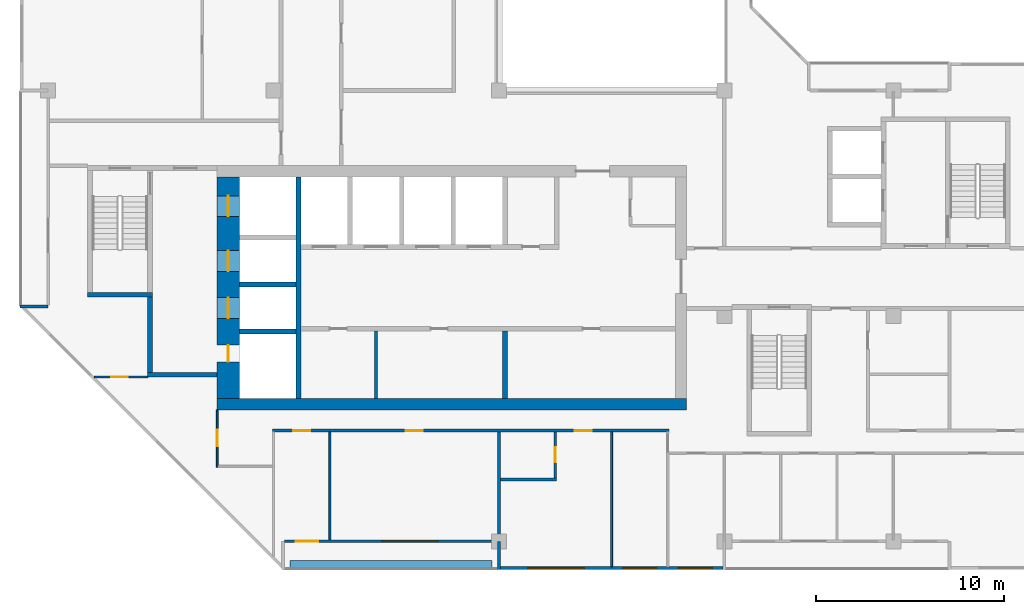
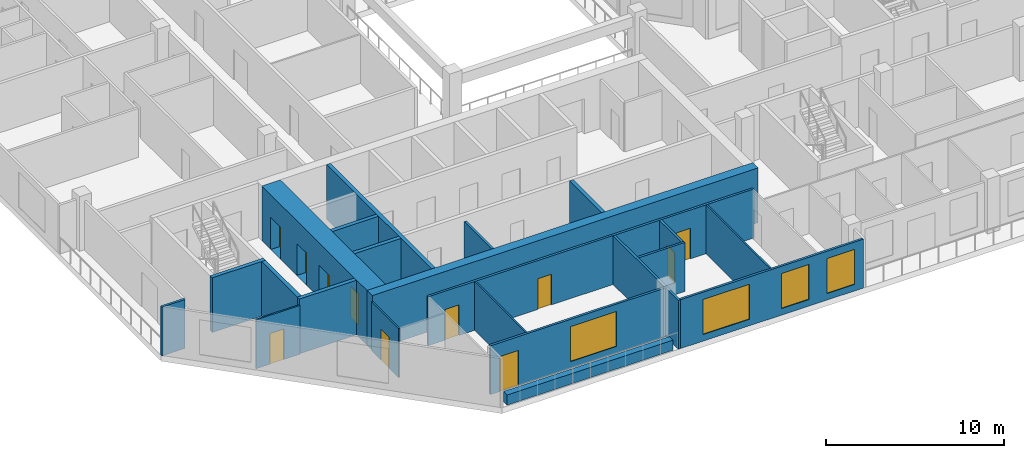
# One storey, part 4 of 13: 23 walls, 11 doors, 4 windows, 15 openings.
"""IFC4 building model written with IfcOpenShell, lengths in metres."""

import ifcopenshell
import ifcopenshell.guid

model = None  # the IFC model being written
_history = None  # IfcOwnerHistory: only IFC2X3 demands one
_inside = {}  # id of a spatial element -> (the spatial element, [elements in it])
_under = {}  # id of a project, library or spatial element -> (it, [spatial elements below it])
_declared = {}  # id of a project -> (the project, [libraries it declares])
_typed = {}  # id of a type object -> (the type object, [elements of that type])
_made_of = {}  # id of a material, layer set ... -> (it, [elements and type objects made of it])


def new_model(schema):
    """Start an empty IFC model of exactly this schema.

    Asked for "IFC4X3", IfcOpenShell would pick the latest addendum, in which some entities
    have other attributes; the version numbers below select the first issue.
    IFC2X3 requires an IfcOwnerHistory on every rooted entity: one is made here for all.
    """
    global model, _history
    if schema == "IFC4X3":
        model = ifcopenshell.file(schema_version=(4, 3, 0, 0))
    else:
        model = ifcopenshell.file(schema=schema)
    _inside.clear()
    _under.clear()
    _declared.clear()
    _typed.clear()
    _made_of.clear()
    _history = None
    if model.schema == "IFC2X3":
        org = make("IfcOrganization", Name="unknown")
        user = make(
            "IfcPersonAndOrganization",
            ThePerson=make("IfcPerson", FamilyName="unknown"),
            TheOrganization=org,
        )
        app = make(
            "IfcApplication",
            ApplicationDeveloper=org,
            Version="unknown",
            ApplicationFullName="unknown",
            ApplicationIdentifier="unknown",
        )
        _history = make(
            "IfcOwnerHistory",
            OwningUser=user,
            OwningApplication=app,
            ChangeAction="ADDED",
            CreationDate=0,
        )
    return model


def make(cls, **values):
    """One entity of the class cls with the attributes given. An attribute that is None is left unset."""
    return model.create_entity(
        cls, **{name: value for name, value in values.items() if value is not None}
    )


def rooted(cls, **values):
    """An entity with a GlobalId (a new one), such as an element, a storey or a relation."""
    return make(cls, GlobalId=ifcopenshell.guid.new(), OwnerHistory=_history, **values)


def si_unit(unit_type, name, prefix=None):
    """IfcSIUnit, for example si_unit("LENGTHUNIT", "METRE", prefix="MILLI")."""
    return make("IfcSIUnit", UnitType=unit_type, Prefix=prefix, Name=name)


def assignment(units):
    """IfcUnitAssignment: the units of a project."""
    return None if units is None else make("IfcUnitAssignment", Units=units)


def point(xyz):
    """IfcCartesianPoint."""
    return None if xyz is None else make("IfcCartesianPoint", Coordinates=xyz)


def direction(xyz):
    """IfcDirection."""
    return None if xyz is None else make("IfcDirection", DirectionRatios=xyz)


def frame(location, z_axis=None, x_axis=None):
    """IfcAxis2Placement3D, a coordinate frame: its origin and axes. An axis left out is left unset."""
    return make(
        "IfcAxis2Placement3D",
        Location=point(location),
        Axis=direction(z_axis),
        RefDirection=direction(x_axis),
    )


def frame_2d(location, x_axis=None):
    """IfcAxis2Placement2D, a coordinate frame in the plane: its origin and x axis."""
    return make(
        "IfcAxis2Placement2D", Location=point(location), RefDirection=direction(x_axis)
    )


def origin():
    """The frame at (0, 0, 0) with its axes left unset."""
    return frame((0.0, 0.0, 0.0))


def place(relative_to, where):
    """IfcLocalPlacement: puts the frame where relative to a parent placement (None: the world)."""
    return make(
        "IfcLocalPlacement", PlacementRelTo=relative_to, RelativePlacement=where
    )


def context(
    kind, dimensions, precision=None, world=None, true_north=None, identifier=None
):
    """IfcGeometricRepresentationContext, for example the 3D "Model" context."""
    return make(
        "IfcGeometricRepresentationContext",
        ContextIdentifier=identifier,
        ContextType=kind,
        CoordinateSpaceDimension=dimensions,
        Precision=precision,
        WorldCoordinateSystem=world,
        TrueNorth=true_north,
    )


def subcontext(parent, identifier, kind, view, scale=None):
    """IfcGeometricRepresentationSubContext, for example "Body" below "Model"."""
    return make(
        "IfcGeometricRepresentationSubContext",
        ContextIdentifier=identifier,
        ContextType=kind,
        ParentContext=parent,
        TargetScale=scale,
        TargetView=view,
    )


def project(units=None, contexts=None):
    """IfcProject with its units and contexts."""
    return rooted(
        "IfcProject",
        Name="project",
        RepresentationContexts=contexts,
        UnitsInContext=assignment(units),
    )


def spatial(cls, under=None, at=None, **own):
    """A site, building, storey or space (cls), placed at a placement, below another one or the project."""
    s = rooted(cls, ObjectPlacement=at, **own)
    if under is not None:
        _under.setdefault(under.id(), (under, []))[1].append(s)
    return s


def profile(cls, at=None, kind="AREA", **sizes):
    """A parametric profile (cls). Its sizes go by their IFC names, for example OverallWidth=200.0."""
    return make(cls, ProfileType=kind, Position=at, **sizes)


def rectangle(**sizes):
    """IfcRectangleProfileDef."""
    return profile("IfcRectangleProfileDef", **sizes)


def extrude(swept, where, along, depth):
    """IfcExtrudedAreaSolid: the profile swept, set in the frame where, extruded along a direction by depth."""
    return make(
        "IfcExtrudedAreaSolid",
        SweptArea=swept,
        Position=where,
        ExtrudedDirection=direction(along),
        Depth=depth,
    )


def shape(context_of_items, identifier, shape_type, items):
    """IfcShapeRepresentation: the items that make up one representation, for example the "Body"."""
    return make(
        "IfcShapeRepresentation",
        ContextOfItems=context_of_items,
        RepresentationIdentifier=identifier,
        RepresentationType=shape_type,
        Items=items,
    )


def material(Name=None, Category=None):
    """IfcMaterial."""
    return make("IfcMaterial", Name=Name, Category=Category)


def layer(
    of_material, thickness, ventilated=None, Name=None, Category=None, Priority=None
):
    """IfcMaterialLayer: one layer of a wall or slab, of a material (None: an air gap)."""
    return make(
        "IfcMaterialLayer",
        Material=of_material,
        LayerThickness=thickness,
        IsVentilated=ventilated,
        Name=Name,
        Category=Category,
        Priority=Priority,
    )


def layer_set(layers, Name=None):
    """IfcMaterialLayerSet."""
    return make("IfcMaterialLayerSet", MaterialLayers=layers, LayerSetName=Name)


def made_of(thing, what):
    """Note that an element or type object is made of a material, layer set ...; save() writes the relation."""
    if what is not None:
        _made_of.setdefault(what.id(), (what, []))[1].append(thing)
    return thing


def type_object(cls, material=None, **own):
    """A type object (cls), such as IfcWallType, which elements share."""
    return made_of(rooted(cls, **own), material)


def element(
    cls,
    number,
    at=None,
    inside=None,
    cuts=None,
    type_object=None,
    material=None,
    context=None,
    identifier="Body",
    shape_type=None,
    held_by="IfcProductDefinitionShape",
    body=None,
    shapes=None,
    **own,
):
    """One element of the class cls, such as IfcWall. Its Tag is "e" and its number.

    at: its placement. inside: the storey or other place that contains it. cuts: it is an
    opening in that element (IfcRelVoidsElement). A single representation is given by context,
    identifier, shape_type and body (its items); several are given by shapes. held_by: the class
    of the entity that holds the representations. save() writes the other relations.
    """
    e = rooted(cls, Tag="e%d" % number, ObjectPlacement=at, **own)
    if body is not None:
        shapes = [shape(context, identifier, shape_type, body)]
    if shapes is not None:
        e.Representation = make(held_by, Representations=shapes)
    if inside is not None:
        _inside.setdefault(inside.id(), (inside, []))[1].append(e)
    if cuts is not None:
        rooted(
            "IfcRelVoidsElement", RelatingBuildingElement=cuts, RelatedOpeningElement=e
        )
    if type_object is not None:
        _typed.setdefault(type_object.id(), (type_object, []))[1].append(e)
    return made_of(e, material)


def fill(opening, filler):
    """IfcRelFillsElement: the door or window that sits in an opening."""
    return rooted(
        "IfcRelFillsElement",
        RelatingOpeningElement=opening,
        RelatedBuildingElement=filler,
    )


def aggregate(whole, parts):
    """IfcRelAggregates: a whole, such as a stair, and the parts it consists of."""
    return rooted("IfcRelAggregates", RelatingObject=whole, RelatedObjects=parts)


def save(model, path):
    """Write the relations noted so far, then the file.

    IfcRelAggregates (storeys below a building ...), IfcRelContainedInSpatialStructure (elements
    in a storey), IfcRelDefinesByType, IfcRelAssociatesMaterial and IfcRelDeclares: one each for
    every whole, place, type object, material and project.
    """
    for whole, parts in _under.values():
        aggregate(whole, parts)
    for where, things in _inside.values():
        rooted(
            "IfcRelContainedInSpatialStructure",
            RelatedElements=things,
            RelatingStructure=where,
        )
    for kind, things in _typed.values():
        rooted("IfcRelDefinesByType", RelatedObjects=things, RelatingType=kind)
    for what, things in _made_of.values():
        rooted("IfcRelAssociatesMaterial", RelatedObjects=things, RelatingMaterial=what)
    for by, libraries in _declared.values():
        rooted("IfcRelDeclares", RelatingContext=by, RelatedDefinitions=libraries)
    model.write(path)


model = new_model("IFC4")

# Units and contexts
model_context = context("Model", 3, precision=1e-05, world=origin(), true_north=direction((0.0, 1.0)))
body_context = subcontext(model_context, "Body", "Model", "MODEL_VIEW")
ifc_project = project(units=[si_unit("LENGTHUNIT", "METRE"), si_unit("AREAUNIT", "SQUARE_METRE"), si_unit("VOLUMEUNIT", "CUBIC_METRE"), si_unit("PLANEANGLEUNIT", "RADIAN"), si_unit("MASSUNIT", "GRAM", prefix="KILO")], contexts=[model_context])

# Site, building, storey
site_placement = place(None, origin())
site = spatial("IfcSite", under=ifc_project, at=site_placement, CompositionType="ELEMENT")
building_placement = place(site_placement, origin())
building = spatial("IfcBuilding", under=site, at=building_placement, Name="Chenar Terraces", CompositionType="ELEMENT")
storey_placement = place(building_placement, frame((0.0, 0.0, 299.64990234375)))
storey = spatial("IfcBuildingStorey", under=building, at=storey_placement, Name="L70", CompositionType="ELEMENT", Elevation=299.64990234375)

# Wall
ifc_material_1 = material(Name="Gypsum board on steel studs", Category="steel")
ifc_layer_1 = layer(ifc_material_1, 0.14990234375)
ifc_layer_set_1 = layer_set([ifc_layer_1], Name="Gypsum board on steel studs")
wall_type_1 = type_object("IfcWallType", Name="Core partition 150 gypsum board", PredefinedType="PARTITIONING", material=ifc_layer_set_1)
wall_1_placement = place(storey_placement, frame((17.449951171875, 7.60009765625, 0.0), z_axis=(0.0, 0.0, 1.0), x_axis=(0.0, 1.0, 0.0)))
element("IfcWall", 1, at=wall_1_placement, inside=storey, type_object=wall_type_1, Name="Core partition CP1 freed bay wall", PredefinedType="PARTITIONING", context=body_context, shape_type="SweptSolid", body=[
    extrude(rectangle(XDim=3.599853515625, YDim=0.14990234375, at=frame_2d((1.7998046875, 0.0))), origin(), (0.0, 0.0, 1.0), 3.35009765625),
])

# Wall, openings, doors
ifc_material_2 = material(Name="Concrete C50/60", Category="concrete")
ifc_layer_2 = layer(ifc_material_2, 1.199951171875)
ifc_layer_set_2 = layer_set([ifc_layer_2], Name="Concrete C50/60")
wall_type_2 = type_object("IfcWallType", Name="Core wall 1200 Concrete C50/60", PredefinedType="SHEAR", material=ifc_layer_set_2)
wall_2_placement = place(storey_placement, frame((9.60009765625, 7.60009765625, 0.0), z_axis=(0.0, 0.0, 1.0), x_axis=(0.0, 1.0, 0.0)))
wall_2 = element("IfcWall", 2, at=wall_2_placement, inside=storey, type_object=wall_type_2, Name="Core wall W L70", PredefinedType="SHEAR", context=body_context, shape_type="SweptSolid", body=[
    extrude(rectangle(XDim=11.7998046875, YDim=1.199951171875, at=frame_2d((5.89990234375, 0.0))), origin(), (0.0, 0.0, 1.0), 3.75),
])
opening_1_placement = place(wall_2_placement, frame((4.27490234375, 0.0, 0.0)))
opening_1 = element("IfcOpeningElement", 3, at=opening_1_placement, cuts=wall_2, Name="Opening DL70-LD5", PredefinedType="OPENING", context=body_context, shape_type="SweptSolid", body=[
    extrude(rectangle(XDim=1.10009765625, YDim=2.199951171875, at=frame_2d((0.550048828125, 1.10009765625))), frame((0.0, 0.60986328125, 0.0), z_axis=(0.0, -1.0, 0.0), x_axis=(1.0, 0.0, 0.0)), (0.0, 0.0, 1.0), 1.219970703125),
])
opening_2_placement = place(wall_2_placement, frame((6.77490234375, 0.0, 0.0)))
opening_2 = element("IfcOpeningElement", 4, at=opening_2_placement, cuts=wall_2, Name="Opening DL70-LD6", PredefinedType="OPENING", context=body_context, shape_type="SweptSolid", body=[
    extrude(rectangle(XDim=1.10009765625, YDim=2.199951171875, at=frame_2d((0.550048828125, 1.10009765625))), frame((0.0, 0.60986328125, 0.0), z_axis=(0.0, -1.0, 0.0), x_axis=(1.0, 0.0, 0.0)), (0.0, 0.0, 1.0), 1.219970703125),
])
opening_3_placement = place(wall_2_placement, frame((9.699951171875, 0.0, 0.0)))
opening_3 = element("IfcOpeningElement", 5, at=opening_3_placement, cuts=wall_2, Name="Opening DL70-LD7", PredefinedType="OPENING", context=body_context, shape_type="SweptSolid", body=[
    extrude(rectangle(XDim=1.10009765625, YDim=2.199951171875, at=frame_2d((0.550048828125, 1.10009765625))), frame((0.0, 0.60986328125, 0.0), z_axis=(0.0, -1.0, 0.0), x_axis=(1.0, 0.0, 0.0)), (0.0, 0.0, 1.0), 1.219970703125),
])
opening_4_placement = place(wall_2_placement, frame((1.949951171875, 0.0, 0.0)))
opening_4 = element("IfcOpeningElement", 6, at=opening_4_placement, cuts=wall_2, Name="Opening DL70-C4", PredefinedType="OPENING", context=body_context, shape_type="SweptSolid", body=[
    extrude(rectangle(XDim=0.89990234375, YDim=2.10009765625, at=frame_2d((0.449951171875, 1.050048828125))), frame((0.0, 0.60986328125, 0.0), z_axis=(0.0, -1.0, 0.0), x_axis=(1.0, 0.0, 0.0)), (0.0, 0.0, 1.0), 1.219970703125),
])
ifc_material_3 = material(Name="Stainless steel", Category="steel")
door_type_1 = type_object("IfcDoorType", Name="Lift landing door 1100 x 2200 sliding", OperationType="DOUBLE_DOOR_SLIDING", PredefinedType="DOOR", material=ifc_material_3)
door_1_placement = place(opening_1_placement, origin())
door_1 = element("IfcDoor", 7, at=door_1_placement, inside=storey, type_object=door_type_1, Name="Landing door S1", OperationType="DOUBLE_DOOR_SLIDING", OverallHeight=2.199951171875, OverallWidth=1.10009765625, PredefinedType="DOOR", context=body_context, shape_type="SweptSolid", body=[
    extrude(rectangle(XDim=1.10009765625, YDim=2.199951171875, at=frame_2d((0.550048828125, 1.10009765625))), frame((0.0, 0.02490234375, 0.0), z_axis=(0.0, -1.0, 0.0), x_axis=(1.0, 0.0, 0.0)), (0.0, 0.0, 1.0), 0.050048828125),
])
fill(opening_1, door_1)
door_2_placement = place(opening_2_placement, origin())
door_2 = element("IfcDoor", 8, at=door_2_placement, inside=storey, type_object=door_type_1, Name="Landing door F1", OperationType="DOUBLE_DOOR_SLIDING", OverallHeight=2.199951171875, OverallWidth=1.10009765625, PredefinedType="DOOR", context=body_context, shape_type="SweptSolid", body=[
    extrude(rectangle(XDim=1.10009765625, YDim=2.199951171875, at=frame_2d((0.550048828125, 1.10009765625))), frame((0.0, 0.02490234375, 0.0), z_axis=(0.0, -1.0, 0.0), x_axis=(1.0, 0.0, 0.0)), (0.0, 0.0, 1.0), 0.050048828125),
])
fill(opening_2, door_2)
door_3_placement = place(opening_3_placement, origin())
door_3 = element("IfcDoor", 9, at=door_3_placement, inside=storey, type_object=door_type_1, Name="Landing door F2", OperationType="DOUBLE_DOOR_SLIDING", OverallHeight=2.199951171875, OverallWidth=1.10009765625, PredefinedType="DOOR", context=body_context, shape_type="SweptSolid", body=[
    extrude(rectangle(XDim=1.10009765625, YDim=2.199951171875, at=frame_2d((0.550048828125, 1.10009765625))), frame((0.0, 0.02490234375, 0.0), z_axis=(0.0, -1.0, 0.0), x_axis=(1.0, 0.0, 0.0)), (0.0, 0.0, 1.0), 0.050048828125),
])
fill(opening_3, door_3)
ifc_material_4 = material(Name="Steel-framed fire-resisting door leaf", Category="steel")
door_type_2 = type_object("IfcDoorType", Name="Riser fire door FD60 900 x 2100", OperationType="SINGLE_SWING_LEFT", PredefinedType="DOOR", material=ifc_material_4)
door_4_placement = place(opening_4_placement, frame((0.89990234375, 0.0, 0.0), z_axis=(0.0, 0.0, 1.0), x_axis=(-1.0, 0.0, 0.0)))
door_4 = element("IfcDoor", 10, at=door_4_placement, inside=storey, type_object=door_type_2, Name="Riser door DL70-C4", OperationType="SINGLE_SWING_LEFT", OverallHeight=2.10009765625, OverallWidth=0.89990234375, PredefinedType="DOOR", context=body_context, shape_type="SweptSolid", body=[
    extrude(rectangle(XDim=0.89990234375, YDim=2.10009765625, at=frame_2d((0.449951171875, 1.050048828125))), frame((0.0, 0.02490234375, 0.0), z_axis=(0.0, -1.0, 0.0), x_axis=(1.0, 0.0, 0.0)), (0.0, 0.0, 1.0), 0.050048828125),
])
fill(opening_4, door_4)

# Walls
ifc_material_5 = material(Name="Concrete C50/60", Category="concrete")
ifc_layer_3 = layer(ifc_material_5, 0.25)
ifc_layer_set_3 = layer_set([ifc_layer_3], Name="Concrete C50/60")
wall_type_3 = type_object("IfcWallType", Name="Core wall 250 Concrete C50/60", PredefinedType="SHEAR", material=ifc_layer_set_3)
wall_3_placement = place(storey_placement, frame((13.324951171875, 7.60009765625, 0.0), z_axis=(0.0, 0.0, 1.0), x_axis=(0.0, 1.0, 0.0)))
element("IfcWall", 11, at=wall_3_placement, inside=storey, type_object=wall_type_3, Name="Core wall WI L70", PredefinedType="SHEAR", context=body_context, shape_type="SweptSolid", body=[
    extrude(rectangle(XDim=11.7998046875, YDim=0.25, at=frame_2d((5.89990234375, 0.0))), origin(), (0.0, 0.0, 1.0), 3.75),
])
for number, where, z_axis, x_axis, name in (
    (12, (10.199951171875, 11.175048828125, 0.0), (0.0, 0.0, 1.0), (1.0, 0.0, 0.0), "Core wall HW0 L70"),
    (13, (10.199951171875, 13.675048828125, 0.0), (0.0, 0.0, 1.0), (1.0, 0.0, 0.0), "Core wall HW1 L70"),
):
    element("IfcWall", number, at=place(storey_placement, frame(where, z_axis=z_axis, x_axis=x_axis)), inside=storey, type_object=wall_type_3, Name=name, PredefinedType="SHEAR", context=body_context, shape_type="SweptSolid", body=[
        extrude(rectangle(XDim=3.0, YDim=0.25, at=frame_2d((1.5, 0.0))), origin(), (0.0, 0.0, 1.0), 3.75),
    ])
wall_4_placement = place(storey_placement, frame((24.324951171875, 7.60009765625, 0.0), z_axis=(0.0, 0.0, 1.0), x_axis=(0.0, 1.0, 0.0)))
element("IfcWall", 14, at=wall_4_placement, inside=storey, type_object=wall_type_3, Name="Core wall SS3 L70", PredefinedType="SHEAR", context=body_context, shape_type="SweptSolid", body=[
    extrude(rectangle(XDim=3.599853515625, YDim=0.25, at=frame_2d((1.7998046875, 0.0))), origin(), (0.0, 0.0, 1.0), 3.75),
])
wall_5_placement = place(storey_placement, frame((2.10009765625, 13.125, 0.0), z_axis=(0.0, 0.0, 1.0), x_axis=(1.0, 0.0, 0.0)))
element("IfcWall", 15, at=wall_5_placement, inside=storey, type_object=wall_type_3, Name="Core wall ST1_S L70", PredefinedType="SHEAR", context=body_context, shape_type="SweptSolid", body=[
    extrude(rectangle(XDim=3.449951171875, YDim=0.25, at=frame_2d((1.72509765625, 0.0))), origin(), (0.0, 0.0, 1.0), 3.75),
])
wall_6_placement = place(storey_placement, frame((5.300048828125, 8.875, 0.0), z_axis=(0.0, 0.0, 1.0), x_axis=(1.0, 0.0, 0.0)))
element("IfcWall", 16, at=wall_6_placement, inside=storey, type_object=wall_type_3, Name="Core wall FFL_S L70", PredefinedType="SHEAR", context=body_context, shape_type="SweptSolid", body=[
    extrude(rectangle(XDim=3.699951171875, YDim=0.25, at=frame_2d((1.85009765625, 0.0))), origin(), (0.0, 0.0, 1.0), 3.75),
])
wall_7_placement = place(storey_placement, frame((5.425048828125, 9.0, 0.0), z_axis=(0.0, 0.0, 1.0), x_axis=(0.0, 1.0, 0.0)))
element("IfcWall", 17, at=wall_7_placement, inside=storey, type_object=wall_type_3, Name="Core wall FFL_W L70", PredefinedType="SHEAR", context=body_context, shape_type="SweptSolid", body=[
    extrude(rectangle(XDim=4.0, YDim=0.25, at=frame_2d((2.0, 0.0))), origin(), (0.0, 0.0, 1.0), 3.75),
])
ifc_material_6 = material(Name="Concrete C50/60", Category="concrete")
ifc_layer_4 = layer(ifc_material_6, 0.60009765625)
ifc_layer_set_4 = layer_set([ifc_layer_4], Name="Concrete C50/60")
wall_type_4 = type_object("IfcWallType", Name="Core wall 600 Concrete C50/60", PredefinedType="SHEAR", material=ifc_layer_set_4)
wall_8_placement = place(storey_placement, frame((9.0, 7.300048828125, 0.0), z_axis=(0.0, 0.0, 1.0), x_axis=(1.0, 0.0, 0.0)))
element("IfcWall", 18, at=wall_8_placement, inside=storey, type_object=wall_type_4, Name="Core wall S L70", PredefinedType="SHEAR", context=body_context, shape_type="SweptSolid", body=[
    extrude(rectangle(XDim=25.0, YDim=0.60009765625, at=frame_2d((12.5, 0.0))), origin(), (0.0, 0.0, 1.0), 3.75),
])

# Wall, openings, windows
ifc_material_7 = material(Name="Aluminium framed glazing", Category="aluminium")
ifc_layer_5 = layer(ifc_material_7, 0.14990234375)
ifc_layer_set_5 = layer_set([ifc_layer_5], Name="Aluminium framed glazing")
wall_type_5 = type_object("IfcWallType", Name="Glazed flush facade wall 150", PredefinedType="SOLIDWALL", material=ifc_layer_set_5)
wall_9_placement = place(storey_placement, frame((24.074951171875, -1.425048828125, 0.0), z_axis=(0.0, 0.0, 1.0), x_axis=(1.0, 0.0, 0.0)))
wall_9 = element("IfcWall", 19, at=wall_9_placement, inside=storey, type_object=wall_type_5, Name="Glazed flush facade wall", PredefinedType="SOLIDWALL", context=body_context, shape_type="SweptSolid", body=[
    extrude(rectangle(XDim=11.85009765625, YDim=0.14990234375, at=frame_2d((5.925048828125, 0.0))), origin(), (0.0, 0.0, 1.0), 3.35009765625),
])
opening_5_placement = place(wall_9_placement, frame((1.46240234375, 0.0, 0.449951171875)))
opening_5 = element("IfcOpeningElement", 20, at=opening_5_placement, cuts=wall_9, Name="Opening W300x240", PredefinedType="OPENING", context=body_context, shape_type="SweptSolid", body=[
    extrude(rectangle(XDim=3.0, YDim=2.39990234375, at=frame_2d((1.5, 1.199951171875))), frame((0.0, 0.0849609375, 0.0), z_axis=(0.0, -1.0, 0.0), x_axis=(1.0, 0.0, 0.0)), (0.0, 0.0, 1.0), 0.169921875),
])
opening_6_placement = place(wall_9_placement, frame((6.52490234375, 0.0, 0.449951171875)))
opening_6 = element("IfcOpeningElement", 21, at=opening_6_placement, cuts=wall_9, Name="Opening W180x240", PredefinedType="OPENING", context=body_context, shape_type="SweptSolid", body=[
    extrude(rectangle(XDim=1.800048828125, YDim=2.39990234375, at=frame_2d((0.89990234375, 1.199951171875))), frame((0.0, 0.0849609375, 0.0), z_axis=(0.0, -1.0, 0.0), x_axis=(1.0, 0.0, 0.0)), (0.0, 0.0, 1.0), 0.169921875),
])
opening_7_placement = place(wall_9_placement, frame((9.487548828125, 0.0, 0.449951171875)))
opening_7 = element("IfcOpeningElement", 22, at=opening_7_placement, cuts=wall_9, Name="Opening W180x240", PredefinedType="OPENING", context=body_context, shape_type="SweptSolid", body=[
    extrude(rectangle(XDim=1.800048828125, YDim=2.39990234375, at=frame_2d((0.89990234375, 1.199951171875))), frame((0.0, 0.0849609375, 0.0), z_axis=(0.0, -1.0, 0.0), x_axis=(1.0, 0.0, 0.0)), (0.0, 0.0, 1.0), 0.169921875),
])
ifc_material_8 = material(Name="Low emissivity double glazing, aluminium frame", Category="aluminium")
window_type_1 = type_object("IfcWindowType", Name="Fixed light 1800 x 2400", PartitioningType="SINGLE_PANEL", PredefinedType="WINDOW", material=ifc_material_8)
window_1_placement = place(opening_6_placement, origin())
window_1 = element("IfcWindow", 23, at=window_1_placement, inside=storey, type_object=window_type_1, Name="Window", OverallHeight=2.39990234375, OverallWidth=1.800048828125, PartitioningType="SINGLE_PANEL", PredefinedType="WINDOW", context=body_context, shape_type="SweptSolid", body=[
    extrude(rectangle(XDim=1.800048828125, YDim=2.39990234375, at=frame_2d((0.89990234375, 1.199951171875))), frame((0.0, 0.030029296875, 0.0), z_axis=(0.0, -1.0, 0.0), x_axis=(1.0, 0.0, 0.0)), (0.0, 0.0, 1.0), 0.06005859375),
])
fill(opening_6, window_1)
window_2_placement = place(opening_7_placement, origin())
window_2 = element("IfcWindow", 24, at=window_2_placement, inside=storey, type_object=window_type_1, Name="Window", OverallHeight=2.39990234375, OverallWidth=1.800048828125, PartitioningType="SINGLE_PANEL", PredefinedType="WINDOW", context=body_context, shape_type="SweptSolid", body=[
    extrude(rectangle(XDim=1.800048828125, YDim=2.39990234375, at=frame_2d((0.89990234375, 1.199951171875))), frame((0.0, 0.030029296875, 0.0), z_axis=(0.0, -1.0, 0.0), x_axis=(1.0, 0.0, 0.0)), (0.0, 0.0, 1.0), 0.06005859375),
])
fill(opening_7, window_2)
ifc_material_9 = material(Name="Low emissivity double glazing, aluminium frame", Category="aluminium")
window_type_2 = type_object("IfcWindowType", Name="Fixed light 3000 x 2400", PartitioningType="SINGLE_PANEL", PredefinedType="WINDOW", material=ifc_material_9)
window_3_placement = place(opening_5_placement, origin())
window_3 = element("IfcWindow", 25, at=window_3_placement, inside=storey, type_object=window_type_2, Name="Window", OverallHeight=2.39990234375, OverallWidth=3.0, PartitioningType="SINGLE_PANEL", PredefinedType="WINDOW", context=body_context, shape_type="SweptSolid", body=[
    extrude(rectangle(XDim=3.0, YDim=2.39990234375, at=frame_2d((1.5, 1.199951171875))), frame((0.0, 0.030029296875, 0.0), z_axis=(0.0, -1.0, 0.0), x_axis=(1.0, 0.0, 0.0)), (0.0, 0.0, 1.0), 0.06005859375),
])
fill(opening_5, window_3)

# Wall, openings, window, door
ifc_material_10 = material(Name="Aluminium framed glazing", Category="aluminium")
ifc_layer_6 = layer(ifc_material_10, 0.14990234375)
ifc_layer_set_6 = layer_set([ifc_layer_6], Name="Aluminium framed glazing")
wall_type_6 = type_object("IfcWallType", Name="Glazed loggia back wall 150", PredefinedType="SOLIDWALL", material=ifc_layer_set_6)
wall_10_placement = place(storey_placement, frame((12.574951171875, 0.0, 0.0), z_axis=(0.0, 0.0, 1.0), x_axis=(1.0, 0.0, 0.0)))
wall_10 = element("IfcWall", 26, at=wall_10_placement, inside=storey, type_object=wall_type_6, Name="Glazed loggia back wall", PredefinedType="SOLIDWALL", context=body_context, shape_type="SweptSolid", body=[
    extrude(rectangle(XDim=11.35009765625, YDim=0.14990234375, at=frame_2d((5.675048828125, 0.0))), origin(), (0.0, 0.0, 1.0), 3.35009765625),
])
opening_8_placement = place(wall_10_placement, frame((0.612548828125, 0.0, 0.0)))
opening_8 = element("IfcOpeningElement", 27, at=opening_8_placement, cuts=wall_10, Name="Opening DL70-G4", PredefinedType="OPENING", context=body_context, shape_type="SweptSolid", body=[
    extrude(rectangle(XDim=1.199951171875, YDim=2.39990234375, at=frame_2d((0.60009765625, 1.199951171875))), frame((0.0, 0.0849609375, 0.0), z_axis=(0.0, -1.0, 0.0), x_axis=(1.0, 0.0, 0.0)), (0.0, 0.0, 1.0), 0.169921875),
])
opening_9_placement = place(wall_10_placement, frame((5.175048828125, 0.0, 0.449951171875)))
opening_9 = element("IfcOpeningElement", 28, at=opening_9_placement, cuts=wall_10, Name="Opening W300x240", PredefinedType="OPENING", context=body_context, shape_type="SweptSolid", body=[
    extrude(rectangle(XDim=3.0, YDim=2.39990234375, at=frame_2d((1.5, 1.199951171875))), frame((0.0, 0.0849609375, 0.0), z_axis=(0.0, -1.0, 0.0), x_axis=(1.0, 0.0, 0.0)), (0.0, 0.0, 1.0), 0.169921875),
])
window_4_placement = place(opening_9_placement, origin())
window_4 = element("IfcWindow", 29, at=window_4_placement, inside=storey, type_object=window_type_2, Name="Window", OverallHeight=2.39990234375, OverallWidth=3.0, PartitioningType="SINGLE_PANEL", PredefinedType="WINDOW", context=body_context, shape_type="SweptSolid", body=[
    extrude(rectangle(XDim=3.0, YDim=2.39990234375, at=frame_2d((1.5, 1.199951171875))), frame((0.0, 0.030029296875, 0.0), z_axis=(0.0, -1.0, 0.0), x_axis=(1.0, 0.0, 0.0)), (0.0, 0.0, 1.0), 0.06005859375),
])
fill(opening_9, window_4)
ifc_material_11 = material(Name="Low emissivity double glazing, aluminium frame", Category="aluminium")
door_type_3 = type_object("IfcDoorType", Name="Loggia glazed double door 1200 x 2400", OperationType="DOUBLE_DOOR_SINGLE_SWING", PredefinedType="DOOR", material=ifc_material_11)
door_5_placement = place(opening_8_placement, frame((1.199951171875, 0.0, 0.0), z_axis=(0.0, 0.0, 1.0), x_axis=(-1.0, 0.0, 0.0)))
door_5 = element("IfcDoor", 30, at=door_5_placement, inside=storey, type_object=door_type_3, Name="Loggia glazed door", OperationType="DOUBLE_DOOR_SINGLE_SWING", OverallHeight=2.39990234375, OverallWidth=1.199951171875, PredefinedType="DOOR", context=body_context, shape_type="SweptSolid", body=[
    extrude(rectangle(XDim=1.199951171875, YDim=2.39990234375, at=frame_2d((0.60009765625, 1.199951171875))), frame((0.0, 0.02490234375, 0.0), z_axis=(0.0, -1.0, 0.0), x_axis=(1.0, 0.0, 0.0)), (0.0, 0.0, 1.0), 0.050048828125),
])
fill(opening_8, door_5)

# Wall, opening, door
ifc_material_12 = material(Name="Gypsum board on steel studs", Category="steel")
ifc_layer_7 = layer(ifc_material_12, 0.10009765625)
ifc_layer_set_7 = layer_set([ifc_layer_7], Name="Gypsum board on steel studs")
wall_type_7 = type_object("IfcWallType", Name="Gypsum partition 100", PredefinedType="PARTITIONING", material=ifc_layer_set_7)
wall_11_placement = place(storey_placement, frame((2.4609375, 8.75, 0.0), z_axis=(0.0, 0.0, 1.0), x_axis=(1.0, 0.0, 0.0)))
wall_11 = element("IfcWall", 31, at=wall_11_placement, inside=storey, type_object=wall_type_7, Name="Partition L70-009", PredefinedType="PARTITIONING", context=body_context, shape_type="SweptSolid", body=[
    extrude(rectangle(XDim=2.839111328125, YDim=0.10009765625, at=frame_2d((1.41943359375, 0.0))), origin(), (0.0, 0.0, 1.0), 3.35009765625),
])
opening_10_placement = place(wall_11_placement, frame((0.888916015625, 0.0, 0.0)))
opening_10 = element("IfcOpeningElement", 32, at=opening_10_placement, cuts=wall_11, Name="Opening DL70-40", PredefinedType="OPENING", context=body_context, shape_type="SweptSolid", body=[
    extrude(rectangle(XDim=0.89990234375, YDim=2.10009765625, at=frame_2d((0.449951171875, 1.050048828125))), frame((0.0, 0.06005859375, 0.0), z_axis=(0.0, -1.0, 0.0), x_axis=(1.0, 0.0, 0.0)), (0.0, 0.0, 1.0), 0.1201171875),
])
ifc_material_13 = material(Name="Veneered timber door leaf", Category="wood")
door_type_4 = type_object("IfcDoorType", Name="Door 900 x 2100", OperationType="SINGLE_SWING_LEFT", PredefinedType="DOOR", material=ifc_material_13)
door_6_placement = place(opening_10_placement, frame((0.89990234375, 0.0, 0.0), z_axis=(0.0, 0.0, 1.0), x_axis=(-1.0, 0.0, 0.0)))
door_6 = element("IfcDoor", 33, at=door_6_placement, inside=storey, type_object=door_type_4, Name="Door DL70-40", OperationType="SINGLE_SWING_RIGHT", OverallHeight=2.10009765625, OverallWidth=0.89990234375, PredefinedType="DOOR", context=body_context, shape_type="SweptSolid", body=[
    extrude(rectangle(XDim=0.89990234375, YDim=2.10009765625, at=frame_2d((0.449951171875, 1.050048828125))), frame((0.0, 0.02490234375, 0.0), z_axis=(0.0, -1.0, 0.0), x_axis=(1.0, 0.0, 0.0)), (0.0, 0.0, 1.0), 0.050048828125),
])
fill(opening_10, door_6)

wall_12_placement = place(storey_placement, frame((9.0, 3.949951171875, 0.0), z_axis=(0.0, 0.0, 1.0), x_axis=(0.0, 1.0, 0.0)))
wall_12 = element("IfcWall", 34, at=wall_12_placement, inside=storey, type_object=wall_type_7, Name="Partition L70-027", PredefinedType="PARTITIONING", context=body_context, shape_type="SweptSolid", body=[
    extrude(rectangle(XDim=3.050048828125, YDim=0.10009765625, at=frame_2d((1.52490234375, 0.0))), origin(), (0.0, 0.0, 1.0), 3.35009765625),
])
opening_11_placement = place(wall_12_placement, frame((1.10009765625, 0.0, 0.0)))
opening_11 = element("IfcOpeningElement", 35, at=opening_11_placement, cuts=wall_12, Name="Opening DL70-39", PredefinedType="OPENING", context=body_context, shape_type="SweptSolid", body=[
    extrude(rectangle(XDim=0.89990234375, YDim=2.10009765625, at=frame_2d((0.449951171875, 1.050048828125))), frame((0.0, 0.06005859375, 0.0), z_axis=(0.0, -1.0, 0.0), x_axis=(1.0, 0.0, 0.0)), (0.0, 0.0, 1.0), 0.1201171875),
])
door_7_placement = place(opening_11_placement, origin())
door_7 = element("IfcDoor", 36, at=door_7_placement, inside=storey, type_object=door_type_4, Name="Door DL70-39", OperationType="SINGLE_SWING_LEFT", OverallHeight=2.10009765625, OverallWidth=0.89990234375, PredefinedType="DOOR", context=body_context, shape_type="SweptSolid", body=[
    extrude(rectangle(XDim=0.89990234375, YDim=2.10009765625, at=frame_2d((0.449951171875, 1.050048828125))), frame((0.0, 0.02490234375, 0.0), z_axis=(0.0, -1.0, 0.0), x_axis=(1.0, 0.0, 0.0)), (0.0, 0.0, 1.0), 0.050048828125),
])
fill(opening_11, door_7)

# Walls
wall_13_placement = place(storey_placement, frame((15.0, 0.073974609375, 0.0), z_axis=(0.0, 0.0, 1.0), x_axis=(0.0, 1.0, 0.0)))
element("IfcWall", 37, at=wall_13_placement, inside=storey, type_object=wall_type_7, Name="Partition L70-032", PredefinedType="PARTITIONING", context=body_context, shape_type="SweptSolid", body=[
    extrude(rectangle(XDim=5.7509765625, YDim=0.10009765625, at=frame_2d((2.87548828125, 0.0))), origin(), (0.0, 0.0, 1.0), 3.35009765625),
])
wall_14_placement = place(storey_placement, frame((30.0, -1.35107421875, 0.0), z_axis=(0.0, 0.0, 1.0), x_axis=(0.0, 1.0, 0.0)))
element("IfcWall", 38, at=wall_14_placement, inside=storey, type_object=wall_type_7, Name="Partition L70-048", PredefinedType="PARTITIONING", context=body_context, shape_type="SweptSolid", body=[
    extrude(rectangle(XDim=7.176025390625, YDim=0.10009765625, at=frame_2d((3.587890625, 0.0))), origin(), (0.0, 0.0, 1.0), 3.35009765625),
])
ifc_material_14 = material(Name="Terracotta cladding on insulated backing", Category="masonry")
ifc_layer_8 = layer(ifc_material_14, 0.14990234375)
ifc_layer_set_8 = layer_set([ifc_layer_8], Name="Terracotta cladding on insulated backing")
wall_type_8 = type_object("IfcWallType", Name="Loggia return wall 150", PredefinedType="SOLIDWALL", material=ifc_layer_set_8)
for number, where, z_axis, x_axis, name in (
    (39, (-1.5, 12.5, 0.0), (0.0, 0.0, 1.0), (1.0, 0.0, 0.0), "Loggia return wall"),
    (40, (24.0, -1.5, 0.0), (0.0, 0.0, 1.0), (0.0, 1.0, 0.0), "Loggia return wall"),
):
    element("IfcWall", number, at=place(storey_placement, frame(where, z_axis=z_axis, x_axis=x_axis)), inside=storey, type_object=wall_type_8, Name=name, PredefinedType="SOLIDWALL", context=body_context, shape_type="SweptSolid", body=[
        extrude(rectangle(XDim=1.5, YDim=0.14990234375, at=frame_2d((0.75, 0.0))), origin(), (0.0, 0.0, 1.0), 3.35009765625),
    ])
ifc_material_15 = material(Name="GRP planter trough")
ifc_layer_9 = layer(ifc_material_15, 0.39990234375)
ifc_layer_set_9 = layer_set([ifc_layer_9], Name="GRP planter trough")
wall_type_9 = type_object("IfcWallType", Name="Vertical greenery planter 400", PredefinedType="SOLIDWALL", material=ifc_layer_set_9)
wall_15_placement = place(storey_placement, frame((12.875, -1.22900390625, 0.0), z_axis=(0.0, 0.0, 1.0), x_axis=(1.0, 0.0, 0.0)))
element("IfcWall", 41, at=wall_15_placement, inside=storey, type_object=wall_type_9, Name="Vertical greenery planter", PredefinedType="SOLIDWALL", context=body_context, shape_type="SweptSolid", body=[
    extrude(rectangle(XDim=10.75, YDim=0.39990234375, at=frame_2d((5.375, 0.0))), origin(), (0.0, 0.0, 1.0), 0.7001953125),
])

# Wall, openings, doors
ifc_material_16 = material(Name="Moisture-resistant gypsum board on steel studs", Category="steel")
ifc_layer_10 = layer(ifc_material_16, 0.14990234375)
ifc_layer_set_10 = layer_set([ifc_layer_10], Name="Moisture-resistant gypsum board on steel studs")
wall_type_10 = type_object("IfcWallType", Name="Wet-room partition 150", PredefinedType="PARTITIONING", material=ifc_layer_set_10)
wall_16_placement = place(storey_placement, frame((11.949951171875, 5.89990234375, 0.0), z_axis=(0.0, 0.0, 1.0), x_axis=(1.0, 0.0, 0.0)))
wall_16 = element("IfcWall", 42, at=wall_16_placement, inside=storey, type_object=wall_type_10, Name="Partition L70-029", PredefinedType="PARTITIONING", context=body_context, shape_type="SweptSolid", body=[
    extrude(rectangle(XDim=21.10009765625, YDim=0.14990234375, at=frame_2d((10.550048828125, 0.0))), origin(), (0.0, 0.0, 1.0), 3.35009765625),
])
opening_12_placement = place(wall_16_placement, frame((1.10009765625, 0.0, 0.0)))
opening_12 = element("IfcOpeningElement", 43, at=opening_12_placement, cuts=wall_16, Name="Opening DL70-33", PredefinedType="OPENING", context=body_context, shape_type="SweptSolid", body=[
    extrude(rectangle(XDim=0.89990234375, YDim=2.10009765625, at=frame_2d((0.449951171875, 1.050048828125))), frame((0.0, 0.0849609375, 0.0), z_axis=(0.0, -1.0, 0.0), x_axis=(1.0, 0.0, 0.0)), (0.0, 0.0, 1.0), 0.169921875),
])
opening_13_placement = place(wall_16_placement, frame((16.10009765625, 0.0, 0.0)))
opening_13 = element("IfcOpeningElement", 44, at=opening_13_placement, cuts=wall_16, Name="Opening DL70-41", PredefinedType="OPENING", context=body_context, shape_type="SweptSolid", body=[
    extrude(rectangle(XDim=0.89990234375, YDim=2.10009765625, at=frame_2d((0.449951171875, 1.050048828125))), frame((0.0, 0.0849609375, 0.0), z_axis=(0.0, -1.0, 0.0), x_axis=(1.0, 0.0, 0.0)), (0.0, 0.0, 1.0), 0.169921875),
])
opening_14_placement = place(wall_16_placement, frame((7.10009765625, 0.0, 0.0)))
opening_14 = element("IfcOpeningElement", 45, at=opening_14_placement, cuts=wall_16, Name="Opening DL70-45", PredefinedType="OPENING", context=body_context, shape_type="SweptSolid", body=[
    extrude(rectangle(XDim=0.89990234375, YDim=2.10009765625, at=frame_2d((0.449951171875, 1.050048828125))), frame((0.0, 0.0849609375, 0.0), z_axis=(0.0, -1.0, 0.0), x_axis=(1.0, 0.0, 0.0)), (0.0, 0.0, 1.0), 0.169921875),
])
door_8_placement = place(opening_12_placement, frame((0.89990234375, 0.0, 0.0), z_axis=(0.0, 0.0, 1.0), x_axis=(-1.0, 0.0, 0.0)))
door_8 = element("IfcDoor", 46, at=door_8_placement, inside=storey, type_object=door_type_4, Name="Door DL70-33", OperationType="SINGLE_SWING_RIGHT", OverallHeight=2.10009765625, OverallWidth=0.89990234375, PredefinedType="DOOR", context=body_context, shape_type="SweptSolid", body=[
    extrude(rectangle(XDim=0.89990234375, YDim=2.10009765625, at=frame_2d((0.449951171875, 1.050048828125))), frame((0.0, 0.02490234375, 0.0), z_axis=(0.0, -1.0, 0.0), x_axis=(1.0, 0.0, 0.0)), (0.0, 0.0, 1.0), 0.050048828125),
])
fill(opening_12, door_8)
door_9_placement = place(opening_13_placement, frame((0.89990234375, 0.0, 0.0), z_axis=(0.0, 0.0, 1.0), x_axis=(-1.0, 0.0, 0.0)))
door_9 = element("IfcDoor", 47, at=door_9_placement, inside=storey, type_object=door_type_4, Name="Door DL70-41", OperationType="SINGLE_SWING_RIGHT", OverallHeight=2.10009765625, OverallWidth=0.89990234375, PredefinedType="DOOR", context=body_context, shape_type="SweptSolid", body=[
    extrude(rectangle(XDim=0.89990234375, YDim=2.10009765625, at=frame_2d((0.449951171875, 1.050048828125))), frame((0.0, 0.02490234375, 0.0), z_axis=(0.0, -1.0, 0.0), x_axis=(1.0, 0.0, 0.0)), (0.0, 0.0, 1.0), 0.050048828125),
])
fill(opening_13, door_9)
door_10_placement = place(opening_14_placement, frame((0.89990234375, 0.0, 0.0), z_axis=(0.0, 0.0, 1.0), x_axis=(-1.0, 0.0, 0.0)))
door_10 = element("IfcDoor", 48, at=door_10_placement, inside=storey, type_object=door_type_4, Name="Door DL70-45", OperationType="SINGLE_SWING_RIGHT", OverallHeight=2.10009765625, OverallWidth=0.89990234375, PredefinedType="DOOR", context=body_context, shape_type="SweptSolid", body=[
    extrude(rectangle(XDim=0.89990234375, YDim=2.10009765625, at=frame_2d((0.449951171875, 1.050048828125))), frame((0.0, 0.02490234375, 0.0), z_axis=(0.0, -1.0, 0.0), x_axis=(1.0, 0.0, 0.0)), (0.0, 0.0, 1.0), 0.050048828125),
])
fill(opening_14, door_10)

# Walls
wall_17_placement = place(storey_placement, frame((24.0, 0.0, 0.0), z_axis=(0.0, 0.0, 1.0), x_axis=(0.0, 1.0, 0.0)))
element("IfcWall", 49, at=wall_17_placement, inside=storey, type_object=wall_type_10, Name="Partition L70-045", PredefinedType="PARTITIONING", context=body_context, shape_type="SweptSolid", body=[
    extrude(rectangle(XDim=5.824951171875, YDim=0.14990234375, at=frame_2d((2.91259765625, 0.0))), origin(), (0.0, 0.0, 1.0), 3.35009765625),
])
wall_18_placement = place(storey_placement, frame((24.074951171875, 3.300048828125, 0.0), z_axis=(0.0, 0.0, 1.0), x_axis=(1.0, 0.0, 0.0)))
element("IfcWall", 50, at=wall_18_placement, inside=storey, type_object=wall_type_10, Name="Partition L70-046", PredefinedType="PARTITIONING", context=body_context, shape_type="SweptSolid", body=[
    extrude(rectangle(XDim=3.0, YDim=0.14990234375, at=frame_2d((1.5, 0.0))), origin(), (0.0, 0.0, 1.0), 3.35009765625),
])

# Wall, opening, door
wall_19_placement = place(storey_placement, frame((27.0, 3.375, 0.0), z_axis=(0.0, 0.0, 1.0), x_axis=(0.0, 1.0, 0.0)))
wall_19 = element("IfcWall", 51, at=wall_19_placement, inside=storey, type_object=wall_type_10, Name="Partition L70-047", PredefinedType="PARTITIONING", context=body_context, shape_type="SweptSolid", body=[
    extrude(rectangle(XDim=2.449951171875, YDim=0.14990234375, at=frame_2d((1.22509765625, 0.0))), origin(), (0.0, 0.0, 1.0), 3.35009765625),
])
opening_15_placement = place(wall_19_placement, frame((0.824951171875, 0.0, 0.0)))
opening_15 = element("IfcOpeningElement", 52, at=opening_15_placement, cuts=wall_19, Name="Opening DL70-42", PredefinedType="OPENING", context=body_context, shape_type="SweptSolid", body=[
    extrude(rectangle(XDim=0.800048828125, YDim=2.10009765625, at=frame_2d((0.39990234375, 1.050048828125))), frame((0.0, 0.0849609375, 0.0), z_axis=(0.0, -1.0, 0.0), x_axis=(1.0, 0.0, 0.0)), (0.0, 0.0, 1.0), 0.169921875),
])
ifc_material_17 = material(Name="Veneered timber door leaf", Category="wood")
door_type_5 = type_object("IfcDoorType", Name="Door 800 x 2100", OperationType="SINGLE_SWING_LEFT", PredefinedType="DOOR", material=ifc_material_17)
door_11_placement = place(opening_15_placement, origin())
door_11 = element("IfcDoor", 53, at=door_11_placement, inside=storey, type_object=door_type_5, Name="Door DL70-42", OperationType="SINGLE_SWING_RIGHT", OverallHeight=2.10009765625, OverallWidth=0.800048828125, PredefinedType="DOOR", context=body_context, shape_type="SweptSolid", body=[
    extrude(rectangle(XDim=0.800048828125, YDim=2.10009765625, at=frame_2d((0.39990234375, 1.050048828125))), frame((0.0, 0.02490234375, 0.0), z_axis=(0.0, -1.0, 0.0), x_axis=(1.0, 0.0, 0.0)), (0.0, 0.0, 1.0), 0.050048828125),
])
fill(opening_15, door_11)

save(model, "model.ifc")
